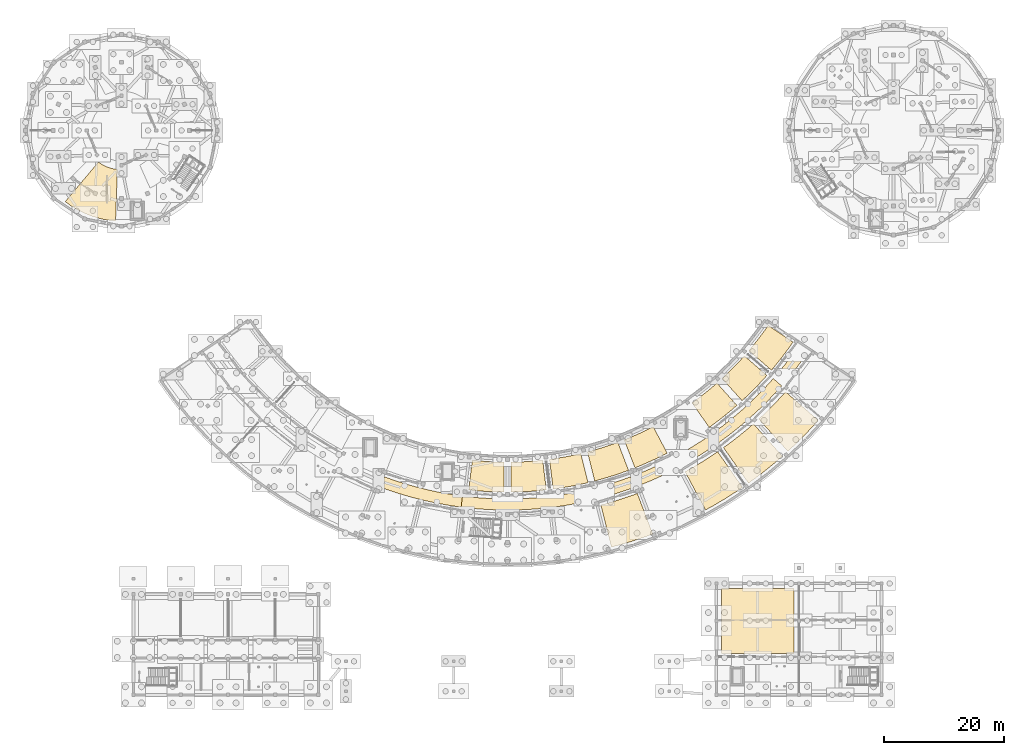
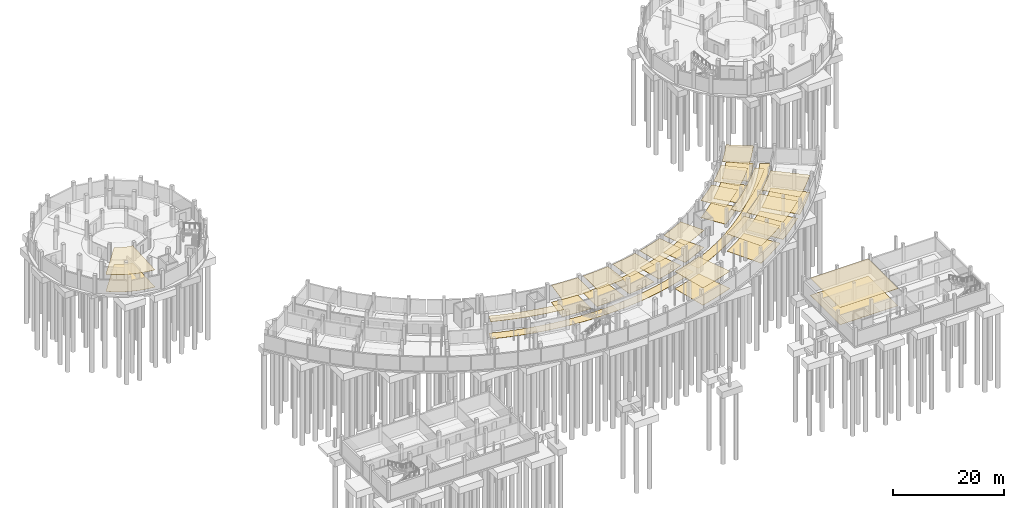
# One storey, part 51 of 58: 32 coverings.
"""IFC4 building model written with IfcOpenShell, lengths in metres."""

from ifc_helpers import new_model, si_unit, direction, frame, origin, place, context, subcontext, project, spatial, polyline, outline, extrude, material, layer, layer_set, type_object, element, save


model = new_model("IFC4")

# Units and contexts
model_context = context("Model", 3, precision=1e-05, world=origin(), true_north=direction((0.0, 1.0)))
body_context = subcontext(model_context, "Body", "Model", "MODEL_VIEW")
ifc_project = project(units=[si_unit("LENGTHUNIT", "METRE"), si_unit("AREAUNIT", "SQUARE_METRE"), si_unit("VOLUMEUNIT", "CUBIC_METRE"), si_unit("PLANEANGLEUNIT", "RADIAN"), si_unit("MASSUNIT", "GRAM", prefix="KILO")], contexts=[model_context])

# Site, building, storey
site_placement = place(None, origin())
site = spatial("IfcSite", under=ifc_project, at=site_placement, CompositionType="ELEMENT")
building_placement = place(site_placement, origin())
building = spatial("IfcBuilding", under=site, at=building_placement, Name="Caldaven Crescent School", CompositionType="ELEMENT")
storey_placement = place(building_placement, frame((0.0, 0.0, -4.080078125)))
storey = spatial("IfcBuildingStorey", under=building, at=storey_placement, Name="B1", CompositionType="ELEMENT", Elevation=-4.080078125)

# Coverings
ifc_material_1 = material(Name="Perforated Pino Radiata acoustic timber baffle ceiling", Category="wood")
ifc_layer_1 = layer(ifc_material_1, 0.030029296875)
ifc_layer_set_1 = layer_set([ifc_layer_1], Name="Perforated Pino Radiata acoustic timber baffle ceiling")
covering_type_1 = type_object("IfcCoveringType", Name="COV-CLG1", PredefinedType="CEILING", material=ifc_layer_set_1)
covering_1_placement = place(storey_placement, frame((0.0, 0.0, 3.7900390625)))
element("IfcCovering", 1, at=covering_1_placement, inside=storey, type_object=covering_type_1, Name="CLG-B1-076", PredefinedType="CEILING", context=body_context, shape_type="SweptSolid", body=[
    extrude(outline(polyline([(96.10546875, 43.6943359375), (96.118408203125, 43.6962890625), (97.63916015625, 43.955078125), (97.652099609375, 43.95751953125), (99.164794921875, 44.260986328125), (99.177490234375, 44.263916015625), (100.24853515625, 44.511474609375), (101.447021484375, 39.657470703125), (100.2265625, 39.375), (98.556884765625, 39.0400390625), (96.878173828125, 38.75439453125), (95.637451171875, 38.58056640625), (95.016845703125, 43.5419921875), (96.10546875, 43.6943359375)])), origin(), (0.0, 0.0, 1.0), 0.030029296875),
])
covering_2_placement = place(storey_placement, frame((0.0, 0.0, 3.7900390625)))
element("IfcCovering", 2, at=covering_2_placement, inside=storey, type_object=covering_type_1, Name="CLG-B1-080", PredefinedType="CEILING", context=body_context, shape_type="SweptSolid", body=[
    extrude(outline(polyline([(108.5185546875, 47.208984375), (108.53076171875, 47.214111328125), (109.943603515625, 47.8330078125), (109.955810546875, 47.83837890625), (111.349853515625, 48.498779296875), (111.36181640625, 48.504638671875), (112.341064453125, 49.004150390625), (114.677978515625, 44.584228515625), (113.56201171875, 44.014892578125), (112.023193359375, 43.285888671875), (110.46337890625, 42.6025390625), (109.3017578125, 42.1337890625), (107.4990234375, 46.797607421875), (108.5185546875, 47.208984375)])), origin(), (0.0, 0.0, 1.0), 0.030029296875),
])
covering_3_placement = place(storey_placement, frame((0.0, 0.0, 3.7900390625)))
element("IfcCovering", 3, at=covering_3_placement, inside=storey, type_object=covering_type_1, Name="CLG-B1-084", PredefinedType="CEILING", context=body_context, shape_type="SweptSolid", body=[
    extrude(outline(polyline([(124.640869140625, 57.802734375), (124.650390625, 57.81201171875), (125.747802734375, 58.896240234375), (125.757080078125, 58.905517578125), (126.822021484375, 60.021484375), (126.830810546875, 60.03125), (127.56591796875, 60.8486328125), (131.331787109375, 57.559814453125), (130.494140625, 56.62841796875), (129.318603515625, 55.396240234375), (128.107421875, 54.199462890625), (127.190673828125, 53.345458984375), (123.836669921875, 57.053466796875), (124.640869140625, 57.802734375)])), origin(), (0.0, 0.0, 1.0), 0.030029296875),
])
ifc_layer_2 = layer(ifc_material_1, 0.0380859375)
ifc_layer_set_2 = layer_set([ifc_layer_2], Name="Perforated Pino Radiata acoustic timber baffle ceiling")
covering_type_2 = type_object("IfcCoveringType", Name="COV-CLG2", PredefinedType="CEILING", material=ifc_layer_set_2)
covering_4_placement = place(storey_placement, frame((0.0, 0.0, 3.781982421875)))
element("IfcCovering", 4, at=covering_4_placement, inside=storey, type_object=covering_type_2, Name="CLG-B1-073", PredefinedType="CEILING", context=body_context, shape_type="SweptSolid", body=[
    extrude(outline(polyline([(83.210693359375, 43.287109375), (83.223876953125, 43.285888671875), (84.76220703125, 43.169189453125), (84.775390625, 43.16845703125), (86.316162109375, 43.096923828125), (86.329345703125, 43.096435546875), (87.4287109375, 43.07763671875), (87.4169921875, 38.077880859375), (86.16455078125, 38.09912109375), (84.46337890625, 38.177978515625), (82.765625, 38.306884765625), (81.519775390625, 38.438720703125), (82.11767578125, 43.402587890625), (83.210693359375, 43.287109375)])), origin(), (0.0, 0.0, 1.0), 0.0380859375),
])
covering_5_placement = place(storey_placement, frame((0.0, 0.0, 3.781982421875)))
element("IfcCovering", 5, at=covering_5_placement, inside=storey, type_object=covering_type_2, Name="CLG-B1-077", PredefinedType="CEILING", context=body_context, shape_type="SweptSolid", body=[
    extrude(outline(polyline([(102.41943359375, 45.072021484375), (102.43212890625, 45.07568359375), (103.909912109375, 45.517822265625), (103.922607421875, 45.521728515625), (105.386962890625, 46.00732421875), (105.3994140625, 46.01171875), (106.43212890625, 46.38818359375), (108.21337890625, 41.716064453125), (107.0361328125, 41.287109375), (105.419921875, 40.751220703125), (103.78857421875, 40.26318359375), (102.578369140625, 39.939453125), (101.357666015625, 44.7880859375), (102.41943359375, 45.072021484375)])), origin(), (0.0, 0.0, 1.0), 0.0380859375),
])
covering_6_placement = place(storey_placement, frame((0.0, 0.0, 3.781982421875)))
element("IfcCovering", 6, at=covering_6_placement, inside=storey, type_object=covering_type_2, Name="CLG-B1-081", PredefinedType="CEILING", context=body_context, shape_type="SweptSolid", body=[
    extrude(outline(polyline([(118.856201171875, 42.14306640625), (118.86767578125, 42.149658203125), (120.42578125, 43.0732421875), (120.43701171875, 43.080078125), (121.96728515625, 44.049072265625), (121.978515625, 44.056396484375), (123.112060546875, 44.82177734375), (127.2626953125, 38.865234375), (125.946533203125, 37.976806640625), (124.224853515625, 36.886474609375), (122.4716796875, 35.847412109375), (121.08251953125, 35.078125), (117.659423828125, 41.48046875), (118.856201171875, 42.14306640625)])), origin(), (0.0, 0.0, 1.0), 0.0380859375),
])
covering_7_placement = place(storey_placement, frame((0.0, 0.0, 3.781982421875)))
element("IfcCovering", 7, at=covering_7_placement, inside=storey, type_object=covering_type_2, Name="CLG-B1-085", PredefinedType="CEILING", context=body_context, shape_type="SweptSolid", body=[
    extrude(outline(polyline([(130.96875, 51.20751953125), (130.978515625, 51.216796875), (132.266845703125, 52.489990234375), (132.276123046875, 52.499267578125), (133.526611328125, 53.809814453125), (133.535400390625, 53.8193359375), (134.4501953125, 54.83642578125), (139.91845703125, 50.060791015625), (138.8564453125, 48.88037109375), (137.44970703125, 47.406005859375), (136.0, 45.973388671875), (134.838134765625, 44.89111328125), (129.968017578125, 50.275146484375), (130.96875, 51.20751953125)])), origin(), (0.0, 0.0, 1.0), 0.0380859375),
])
ifc_layer_3 = layer(ifc_material_1, 0.0458984375)
ifc_layer_set_3 = layer_set([ifc_layer_3], Name="Perforated Pino Radiata acoustic timber baffle ceiling")
covering_type_3 = type_object("IfcCoveringType", Name="COV-CLG3", PredefinedType="CEILING", material=ifc_layer_set_3)
covering_8_placement = place(storey_placement, frame((0.0, 0.0, 3.774169921875)))
element("IfcCovering", 8, at=covering_8_placement, inside=storey, type_object=covering_type_3, Name="CLG-B1-018", PredefinedType="CEILING", context=body_context, shape_type="SweptSolid", body=[
    extrude(outline(polyline([(19.656494140625, 93.1962890625), (19.830810546875, 93.07421875), (19.84375, 93.0654296875), (20.0224609375, 92.949462890625), (20.03564453125, 92.941162109375), (20.21826171875, 92.83154296875), (20.23193359375, 92.823486328125), (20.418212890625, 92.720458984375), (20.431884765625, 92.712890625), (20.62158203125, 92.616455078125), (20.6357421875, 92.609619140625), (20.82861328125, 92.51953125), (20.843017578125, 92.51318359375), (21.0390625, 92.429931640625), (21.0537109375, 92.424072265625), (21.25244140625, 92.347900390625), (21.26708984375, 92.34228515625), (21.468505859375, 92.273193359375), (21.4833984375, 92.268310546875), (21.68701171875, 92.2060546875), (21.7021484375, 92.20166015625), (21.907958984375, 92.146484375), (21.923095703125, 92.142578125), (22.13037109375, 92.0947265625), (22.14599609375, 92.091552734375), (22.35498046875, 92.051025390625), (22.370361328125, 92.048095703125), (22.58056640625, 92.014892578125), (22.59619140625, 92.0126953125), (22.8076171875, 91.98681640625), (22.822265625, 91.985107421875), (22.52197265625, 83.3828125), (22.443115234375, 83.386962890625), (21.91650390625, 83.43310546875), (21.3916015625, 83.49755859375), (20.869384765625, 83.580078125), (20.35009765625, 83.68115234375), (19.8349609375, 83.800048828125), (19.32421875, 83.93701171875), (18.818359375, 84.091552734375), (18.318359375, 84.263671875), (17.82470703125, 84.453125), (17.337890625, 84.659912109375), (16.858642578125, 84.88330078125), (16.387451171875, 85.123291015625), (15.925048828125, 85.3798828125), (15.4716796875, 85.652099609375), (15.0283203125, 85.940185546875), (14.59521484375, 86.243408203125), (14.1728515625, 86.561767578125), (14.111572265625, 86.611083984375), (19.64453125, 93.205078125), (19.656494140625, 93.1962890625)])), origin(), (0.0, 0.0, 1.0), 0.0458984375),
])
covering_9_placement = place(storey_placement, frame((0.0, 0.0, 3.774169921875)))
element("IfcCovering", 9, at=covering_9_placement, inside=storey, type_object=covering_type_3, Name="CLG-B1-070", PredefinedType="CEILING", context=body_context, shape_type="SweptSolid", body=[
    extrude(outline(polyline([(68.972900390625, 40.078369140625), (68.987548828125, 40.073486328125), (70.91357421875, 39.455078125), (70.928466796875, 39.45068359375), (72.87451171875, 38.8994140625), (72.889404296875, 38.8955078125), (74.853515625, 38.41162109375), (74.86865234375, 38.408203125), (76.848388671875, 37.9921875), (76.863525390625, 37.989501953125), (78.856201171875, 37.64208984375), (78.87158203125, 37.6396484375), (80.481689453125, 37.416015625), (80.252685546875, 35.5703125), (78.576416015625, 35.80322265625), (76.5048828125, 36.164306640625), (74.447509765625, 36.596435546875), (72.406005859375, 37.099365234375), (70.383056640625, 37.67236328125), (68.381103515625, 38.31494140625), (66.826171875, 38.8740234375), (67.4853515625, 40.613037109375), (68.972900390625, 40.078369140625)])), origin(), (0.0, 0.0, 1.0), 0.0458984375),
])
covering_10_placement = place(storey_placement, frame((0.0, 0.0, 3.774169921875)))
element("IfcCovering", 10, at=covering_10_placement, inside=storey, type_object=covering_type_3, Name="CLG-B1-074", PredefinedType="CEILING", context=body_context, shape_type="SweptSolid", body=[
    extrude(outline(polyline([(89.670654296875, 43.096435546875), (89.683837890625, 43.096923828125), (91.224609375, 43.16845703125), (91.23779296875, 43.169189453125), (92.776123046875, 43.285888671875), (92.789306640625, 43.287109375), (93.88232421875, 43.402587890625), (94.480224609375, 38.438720703125), (93.234375, 38.306884765625), (91.53662109375, 38.177978515625), (89.83544921875, 38.09912109375), (88.5830078125, 38.077880859375), (88.5712890625, 43.07763671875), (89.670654296875, 43.096435546875)])), origin(), (0.0, 0.0, 1.0), 0.0458984375),
])
covering_11_placement = place(storey_placement, frame((0.0, 0.0, 3.774169921875)))
element("IfcCovering", 11, at=covering_11_placement, inside=storey, type_object=covering_type_3, Name="CLG-B1-078", PredefinedType="CEILING", context=body_context, shape_type="SweptSolid", body=[
    extrude(outline(polyline([(104.910400390625, 36.278076171875), (104.923095703125, 36.281494140625), (106.658447265625, 36.80078125), (106.671142578125, 36.804931640625), (108.390380859375, 37.375), (108.40283203125, 37.379150390625), (109.68798828125, 37.84765625), (112.274169921875, 31.06396484375), (110.7822265625, 30.520263671875), (108.847900390625, 29.87890625), (106.8955078125, 29.294677734375), (105.361572265625, 28.884521484375), (103.589111328125, 35.924560546875), (104.910400390625, 36.278076171875)])), origin(), (0.0, 0.0, 1.0), 0.0458984375),
])
covering_12_placement = place(storey_placement, frame((0.0, 0.0, 3.774169921875)))
element("IfcCovering", 12, at=covering_12_placement, inside=storey, type_object=covering_type_3, Name="CLG-B1-082", PredefinedType="CEILING", context=body_context, shape_type="SweptSolid", body=[
    extrude(outline(polyline([(119.712646484375, 53.6220703125), (119.72314453125, 53.6298828125), (120.944580078125, 54.572509765625), (120.954833984375, 54.580810546875), (122.14794921875, 55.55859375), (122.157958984375, 55.567138671875), (122.9873046875, 56.288818359375), (126.32421875, 52.5654296875), (125.379150390625, 51.742919921875), (124.062255859375, 50.66357421875), (122.714111328125, 49.623291015625), (121.7001953125, 48.88720703125), (118.822998046875, 52.976318359375), (119.712646484375, 53.6220703125)])), origin(), (0.0, 0.0, 1.0), 0.0458984375),
])
covering_13_placement = place(storey_placement, frame((0.0, 0.0, 3.774169921875)))
element("IfcCovering", 13, at=covering_13_placement, inside=storey, type_object=covering_type_3, Name="CLG-B1-086", PredefinedType="CEILING", context=body_context, shape_type="SweptSolid", body=[
    extrude(outline(polyline([(129.022705078125, 62.552978515625), (129.031005859375, 62.56298828125), (129.988037109375, 63.77294921875), (129.99609375, 63.783447265625), (130.917236328125, 65.02099609375), (130.9248046875, 65.03173828125), (131.554931640625, 65.9326171875), (135.693603515625, 63.127197265625), (134.9755859375, 62.1005859375), (133.958984375, 60.734619140625), (132.902587890625, 59.39892578125), (132.0966796875, 58.439697265625), (128.31591796875, 61.711181640625), (129.022705078125, 62.552978515625)])), origin(), (0.0, 0.0, 1.0), 0.0458984375),
])
ifc_layer_4 = layer(ifc_material_1, 0.053955078125)
ifc_layer_set_4 = layer_set([ifc_layer_4], Name="Perforated Pino Radiata acoustic timber baffle ceiling")
covering_type_4 = type_object("IfcCoveringType", Name="COV-CLG4", PredefinedType="CEILING", material=ifc_layer_set_4)
covering_14_placement = place(storey_placement, frame((0.0, 0.0, 3.76611328125)))
element("IfcCovering", 14, at=covering_14_placement, inside=storey, type_object=covering_type_4, Name="CLG-B1-027", PredefinedType="CEILING", context=body_context, shape_type="SweptSolid", body=[
    extrude(outline(polyline([(135.85009765625, 21.949951171875), (135.85009765625, 11.14990234375), (123.75, 11.14990234375), (123.75, 21.949951171875), (135.85009765625, 21.949951171875)])), origin(), (0.0, 0.0, 1.0), 0.053955078125),
])
covering_15_placement = place(storey_placement, frame((0.0, 0.0, 3.76611328125)))
element("IfcCovering", 15, at=covering_15_placement, inside=storey, type_object=covering_type_4, Name="CLG-B1-079", PredefinedType="CEILING", context=body_context, shape_type="SweptSolid", body=[
    extrude(outline(polyline([(122.281494140625, 47.8955078125), (122.29443359375, 47.90478515625), (123.9677734375, 49.14306640625), (123.98046875, 49.152587890625), (125.60888671875, 50.44970703125), (125.62109375, 50.459716796875), (127.202392578125, 51.813720703125), (127.21435546875, 51.82421875), (128.74658203125, 53.2333984375), (128.758056640625, 53.244384765625), (130.239501953125, 54.707275390625), (130.25048828125, 54.718505859375), (131.678955078125, 56.23291015625), (131.689697265625, 56.244873046875), (132.396484375, 57.0498046875), (133.799560546875, 55.829345703125), (133.059814453125, 54.987060546875), (131.5751953125, 53.412841796875), (130.03564453125, 51.892578125), (128.443115234375, 50.427734375), (126.79931640625, 49.0205078125), (125.106689453125, 47.672607421875), (123.36767578125, 46.385498046875), (123.2119140625, 46.27880859375), (122.143310546875, 47.80078125), (122.281494140625, 47.8955078125)])), origin(), (0.0, 0.0, 1.0), 0.053955078125),
])
covering_16_placement = place(storey_placement, frame((0.0, 0.0, 3.76611328125)))
element("IfcCovering", 16, at=covering_16_placement, inside=storey, type_object=covering_type_4, Name="CLG-B1-083", PredefinedType="CEILING", context=body_context, shape_type="SweptSolid", body=[
    extrude(outline(polyline([(125.189697265625, 46.304931640625), (125.2001953125, 46.312744140625), (126.63427734375, 47.41943359375), (126.644775390625, 47.427734375), (128.04541015625, 48.575927734375), (128.0556640625, 48.58447265625), (129.08740234375, 49.482421875), (133.932861328125, 44.075927734375), (132.735107421875, 43.03369140625), (131.158935546875, 41.74169921875), (129.54541015625, 40.496826171875), (128.260498046875, 39.56396484375), (124.082763671875, 45.50146484375), (125.189697265625, 46.304931640625)])), origin(), (0.0, 0.0, 1.0), 0.053955078125),
])
ifc_material_2 = material(Name="Polished terrazzo and acoustic linoleum flooring")
ifc_layer_5 = layer(ifc_material_2, 0.02001953125)
ifc_layer_set_5 = layer_set([ifc_layer_5], Name="Polished terrazzo and acoustic linoleum flooring")
covering_type_5 = type_object("IfcCoveringType", Name="COV-FLR1", PredefinedType="FLOORING", material=ifc_layer_set_5)
covering_17_placement = place(storey_placement, origin())
element("IfcCovering", 17, at=covering_17_placement, inside=storey, type_object=covering_type_5, Name="FLR-B1-018", PredefinedType="FLOORING", context=body_context, shape_type="SweptSolid", body=[
    extrude(outline(polyline([(19.64453125, 93.205078125), (19.656494140625, 93.1962890625), (19.830810546875, 93.07421875), (19.84375, 93.0654296875), (20.0224609375, 92.949462890625), (20.03564453125, 92.941162109375), (20.21826171875, 92.83154296875), (20.23193359375, 92.823486328125), (20.418212890625, 92.720458984375), (20.431884765625, 92.712890625), (20.62158203125, 92.616455078125), (20.6357421875, 92.609619140625), (20.82861328125, 92.51953125), (20.843017578125, 92.51318359375), (21.0390625, 92.429931640625), (21.0537109375, 92.424072265625), (21.25244140625, 92.347900390625), (21.26708984375, 92.34228515625), (21.468505859375, 92.273193359375), (21.4833984375, 92.268310546875), (21.68701171875, 92.2060546875), (21.7021484375, 92.20166015625), (21.907958984375, 92.146484375), (21.923095703125, 92.142578125), (22.13037109375, 92.0947265625), (22.14599609375, 92.091552734375), (22.35498046875, 92.051025390625), (22.370361328125, 92.048095703125), (22.58056640625, 92.014892578125), (22.59619140625, 92.0126953125), (22.8076171875, 91.98681640625), (22.822265625, 91.985107421875), (22.52197265625, 83.3828125), (22.443115234375, 83.386962890625), (21.91650390625, 83.43310546875), (21.3916015625, 83.49755859375), (20.869384765625, 83.580078125), (20.35009765625, 83.68115234375), (19.8349609375, 83.800048828125), (19.32421875, 83.93701171875), (18.818359375, 84.091552734375), (18.318359375, 84.263671875), (17.82470703125, 84.453125), (17.337890625, 84.659912109375), (16.858642578125, 84.88330078125), (16.387451171875, 85.123291015625), (15.925048828125, 85.3798828125), (15.4716796875, 85.652099609375), (15.0283203125, 85.940185546875), (14.59521484375, 86.243408203125), (14.1728515625, 86.561767578125), (14.111572265625, 86.611083984375), (19.64453125, 93.205078125)])), origin(), (0.0, 0.0, 1.0), 0.02001953125),
])
covering_18_placement = place(storey_placement, origin())
element("IfcCovering", 18, at=covering_18_placement, inside=storey, type_object=covering_type_5, Name="FLR-B1-027", PredefinedType="FLOORING", context=body_context, shape_type="SweptSolid", body=[
    extrude(outline(polyline([(123.75, 21.949951171875), (135.85009765625, 21.949951171875), (135.85009765625, 11.14990234375), (123.75, 11.14990234375), (123.75, 21.949951171875)])), origin(), (0.0, 0.0, 1.0), 0.02001953125),
])
covering_19_placement = place(storey_placement, origin())
element("IfcCovering", 19, at=covering_19_placement, inside=storey, type_object=covering_type_5, Name="FLR-B1-078", PredefinedType="FLOORING", context=body_context, shape_type="SweptSolid", body=[
    extrude(outline(polyline([(103.589111328125, 35.924560546875), (104.910400390625, 36.278076171875), (104.923095703125, 36.281494140625), (106.658447265625, 36.80078125), (106.671142578125, 36.804931640625), (108.390380859375, 37.375), (108.40283203125, 37.379150390625), (109.68798828125, 37.84765625), (112.274169921875, 31.06396484375), (110.7822265625, 30.520263671875), (108.847900390625, 29.87890625), (106.8955078125, 29.294677734375), (105.361572265625, 28.884521484375), (103.589111328125, 35.924560546875)])), origin(), (0.0, 0.0, 1.0), 0.02001953125),
])
covering_20_placement = place(storey_placement, origin())
element("IfcCovering", 20, at=covering_20_placement, inside=storey, type_object=covering_type_5, Name="FLR-B1-081", PredefinedType="FLOORING", context=body_context, shape_type="SweptSolid", body=[
    extrude(outline(polyline([(117.659423828125, 41.48046875), (118.856201171875, 42.14306640625), (118.86767578125, 42.149658203125), (120.42578125, 43.0732421875), (120.43701171875, 43.080078125), (121.96728515625, 44.049072265625), (121.978515625, 44.056396484375), (123.112060546875, 44.82177734375), (127.2626953125, 38.865234375), (125.946533203125, 37.976806640625), (124.224853515625, 36.886474609375), (122.4716796875, 35.847412109375), (121.08251953125, 35.078125), (117.659423828125, 41.48046875)])), origin(), (0.0, 0.0, 1.0), 0.02001953125),
])
covering_21_placement = place(storey_placement, origin())
element("IfcCovering", 21, at=covering_21_placement, inside=storey, type_object=covering_type_5, Name="FLR-B1-084", PredefinedType="FLOORING", context=body_context, shape_type="SweptSolid", body=[
    extrude(outline(polyline([(123.836669921875, 57.053466796875), (124.640869140625, 57.802734375), (124.650390625, 57.81201171875), (125.747802734375, 58.896240234375), (125.757080078125, 58.905517578125), (126.822021484375, 60.021484375), (126.830810546875, 60.03125), (127.56591796875, 60.8486328125), (131.331787109375, 57.559814453125), (130.494140625, 56.62841796875), (129.318603515625, 55.396240234375), (128.107421875, 54.199462890625), (127.190673828125, 53.345458984375), (123.836669921875, 57.053466796875)])), origin(), (0.0, 0.0, 1.0), 0.02001953125),
])
ifc_layer_6 = layer(ifc_material_2, 0.02587890625)
ifc_layer_set_6 = layer_set([ifc_layer_6], Name="Polished terrazzo and acoustic linoleum flooring")
covering_type_6 = type_object("IfcCoveringType", Name="COV-FLR2", PredefinedType="FLOORING", material=ifc_layer_set_6)
covering_22_placement = place(storey_placement, origin())
element("IfcCovering", 22, at=covering_22_placement, inside=storey, type_object=covering_type_6, Name="FLR-B1-070", PredefinedType="FLOORING", context=body_context, shape_type="SweptSolid", body=[
    extrude(outline(polyline([(67.4853515625, 40.613037109375), (68.972900390625, 40.078369140625), (68.987548828125, 40.073486328125), (70.91357421875, 39.455078125), (70.928466796875, 39.45068359375), (72.87451171875, 38.8994140625), (72.889404296875, 38.8955078125), (74.853515625, 38.41162109375), (74.86865234375, 38.408203125), (76.848388671875, 37.9921875), (76.863525390625, 37.989501953125), (78.856201171875, 37.64208984375), (78.87158203125, 37.6396484375), (80.875244140625, 37.361328125), (80.890625, 37.359375), (82.902587890625, 37.150390625), (82.918212890625, 37.149169921875), (84.93603515625, 37.009521484375), (84.951416015625, 37.0087890625), (86.97314453125, 36.93896484375), (86.988525390625, 36.938720703125), (89.011474609375, 36.938720703125), (89.02685546875, 36.93896484375), (91.048583984375, 37.0087890625), (91.06396484375, 37.009521484375), (93.081787109375, 37.149169921875), (93.097412109375, 37.150390625), (95.109375, 37.359375), (95.124755859375, 37.361328125), (97.12841796875, 37.6396484375), (97.143798828125, 37.64208984375), (99.136474609375, 37.989501953125), (99.151611328125, 37.9921875), (101.13134765625, 38.408203125), (101.146484375, 38.41162109375), (103.110595703125, 38.8955078125), (103.12548828125, 38.8994140625), (105.071533203125, 39.45068359375), (105.08642578125, 39.455078125), (107.012451171875, 40.073486328125), (107.027099609375, 40.078369140625), (108.5146484375, 40.613037109375), (109.173828125, 38.8740234375), (107.618896484375, 38.31494140625), (105.616943359375, 37.67236328125), (103.593994140625, 37.099365234375), (101.552490234375, 36.596435546875), (99.4951171875, 36.164306640625), (97.423583984375, 35.80322265625), (95.34130859375, 35.513916015625), (93.25, 35.296630859375), (91.152587890625, 35.151611328125), (89.05126953125, 35.0791015625), (86.94873046875, 35.0791015625), (84.847412109375, 35.151611328125), (82.75, 35.296630859375), (80.65869140625, 35.513916015625), (78.576416015625, 35.80322265625), (76.5048828125, 36.164306640625), (74.447509765625, 36.596435546875), (72.406005859375, 37.099365234375), (70.383056640625, 37.67236328125), (68.381103515625, 38.31494140625), (66.826171875, 38.8740234375), (67.4853515625, 40.613037109375)])), origin(), (0.0, 0.0, 1.0), 0.026123046875),
])
covering_23_placement = place(storey_placement, origin())
element("IfcCovering", 23, at=covering_23_placement, inside=storey, type_object=covering_type_6, Name="FLR-B1-073", PredefinedType="FLOORING", context=body_context, shape_type="SweptSolid", body=[
    extrude(outline(polyline([(82.11767578125, 43.402587890625), (83.210693359375, 43.287109375), (83.223876953125, 43.285888671875), (84.76220703125, 43.169189453125), (84.775390625, 43.16845703125), (86.316162109375, 43.096923828125), (86.329345703125, 43.096435546875), (87.4287109375, 43.07763671875), (87.4169921875, 38.077880859375), (86.16455078125, 38.09912109375), (84.46337890625, 38.177978515625), (82.765625, 38.306884765625), (81.519775390625, 38.438720703125), (82.11767578125, 43.402587890625)])), origin(), (0.0, 0.0, 1.0), 0.026123046875),
])
covering_24_placement = place(storey_placement, origin())
element("IfcCovering", 24, at=covering_24_placement, inside=storey, type_object=covering_type_6, Name="FLR-B1-076", PredefinedType="FLOORING", context=body_context, shape_type="SweptSolid", body=[
    extrude(outline(polyline([(95.016845703125, 43.5419921875), (96.10546875, 43.6943359375), (96.118408203125, 43.6962890625), (97.63916015625, 43.955078125), (97.652099609375, 43.95751953125), (99.164794921875, 44.260986328125), (99.177490234375, 44.263916015625), (100.24853515625, 44.511474609375), (101.447021484375, 39.657470703125), (100.2265625, 39.375), (98.556884765625, 39.0400390625), (96.878173828125, 38.75439453125), (95.637451171875, 38.58056640625), (95.016845703125, 43.5419921875)])), origin(), (0.0, 0.0, 1.0), 0.026123046875),
])
covering_25_placement = place(storey_placement, origin())
element("IfcCovering", 25, at=covering_25_placement, inside=storey, type_object=covering_type_6, Name="FLR-B1-079", PredefinedType="FLOORING", context=body_context, shape_type="SweptSolid", body=[
    extrude(outline(polyline([(109.815673828125, 41.11279296875), (111.3330078125, 41.73388671875), (111.347900390625, 41.739990234375), (113.2451171875, 42.596435546875), (113.259765625, 42.603515625), (115.12548828125, 43.526611328125), (115.1396484375, 43.533935546875), (116.971435546875, 44.522705078125), (116.985595703125, 44.530517578125), (118.781005859375, 45.583984375), (118.794677734375, 45.59228515625), (120.5517578125, 46.70849609375), (120.565185546875, 46.71728515625), (122.281494140625, 47.8955078125), (122.29443359375, 47.90478515625), (123.9677734375, 49.14306640625), (123.98046875, 49.152587890625), (125.60888671875, 50.44970703125), (125.62109375, 50.459716796875), (127.202392578125, 51.813720703125), (127.21435546875, 51.82421875), (128.74658203125, 53.2333984375), (128.758056640625, 53.244384765625), (130.239501953125, 54.707275390625), (130.25048828125, 54.718505859375), (131.678955078125, 56.23291015625), (131.689697265625, 56.244873046875), (133.063232421875, 57.808837890625), (133.073486328125, 57.821044921875), (134.390869140625, 59.43310546875), (134.40087890625, 59.445556640625), (135.659912109375, 61.103271484375), (135.66943359375, 61.1162109375), (136.6142578125, 62.456298828125), (138.153076171875, 61.41162109375), (137.16552734375, 60.010986328125), (135.856689453125, 58.2880859375), (134.487548828125, 56.61279296875), (133.059814453125, 54.987060546875), (131.5751953125, 53.412841796875), (130.03564453125, 51.892578125), (128.443115234375, 50.427734375), (126.79931640625, 49.0205078125), (125.106689453125, 47.672607421875), (123.36767578125, 46.385498046875), (121.58349609375, 45.160888671875), (119.75732421875, 44.000732421875), (117.89111328125, 42.906005859375), (115.987060546875, 41.878173828125), (114.047607421875, 40.91845703125), (112.075439453125, 40.0283203125), (110.489501953125, 39.37939453125), (109.815673828125, 41.11279296875)])), origin(), (0.0, 0.0, 1.0), 0.026123046875),
])
covering_26_placement = place(storey_placement, origin())
element("IfcCovering", 26, at=covering_26_placement, inside=storey, type_object=covering_type_6, Name="FLR-B1-082", PredefinedType="FLOORING", context=body_context, shape_type="SweptSolid", body=[
    extrude(outline(polyline([(118.822998046875, 52.976318359375), (119.712646484375, 53.6220703125), (119.72314453125, 53.6298828125), (120.944580078125, 54.572509765625), (120.954833984375, 54.580810546875), (122.14794921875, 55.55859375), (122.157958984375, 55.567138671875), (122.9873046875, 56.288818359375), (126.32421875, 52.5654296875), (125.379150390625, 51.742919921875), (124.062255859375, 50.66357421875), (122.714111328125, 49.623291015625), (121.7001953125, 48.88720703125), (118.822998046875, 52.976318359375)])), origin(), (0.0, 0.0, 1.0), 0.026123046875),
])
covering_27_placement = place(storey_placement, origin())
element("IfcCovering", 27, at=covering_27_placement, inside=storey, type_object=covering_type_6, Name="FLR-B1-085", PredefinedType="FLOORING", context=body_context, shape_type="SweptSolid", body=[
    extrude(outline(polyline([(129.968017578125, 50.275146484375), (130.96875, 51.20751953125), (130.978515625, 51.216796875), (132.266845703125, 52.489990234375), (132.276123046875, 52.499267578125), (133.526611328125, 53.809814453125), (133.535400390625, 53.8193359375), (134.4501953125, 54.83642578125), (139.91845703125, 50.060791015625), (138.8564453125, 48.88037109375), (137.44970703125, 47.406005859375), (136.0, 45.973388671875), (134.838134765625, 44.89111328125), (129.968017578125, 50.275146484375)])), origin(), (0.0, 0.0, 1.0), 0.026123046875),
])
ifc_layer_7 = layer(ifc_material_2, 0.031982421875)
ifc_layer_set_7 = layer_set([ifc_layer_7], Name="Polished terrazzo and acoustic linoleum flooring")
covering_type_7 = type_object("IfcCoveringType", Name="COV-FLR3", PredefinedType="FLOORING", material=ifc_layer_set_7)
covering_28_placement = place(storey_placement, origin())
element("IfcCovering", 28, at=covering_28_placement, inside=storey, type_object=covering_type_7, Name="FLR-B1-074", PredefinedType="FLOORING", context=body_context, shape_type="SweptSolid", body=[
    extrude(outline(polyline([(88.5712890625, 43.07763671875), (89.670654296875, 43.096435546875), (89.683837890625, 43.096923828125), (91.224609375, 43.16845703125), (91.23779296875, 43.169189453125), (92.776123046875, 43.285888671875), (92.789306640625, 43.287109375), (93.88232421875, 43.402587890625), (94.480224609375, 38.438720703125), (93.234375, 38.306884765625), (91.53662109375, 38.177978515625), (89.83544921875, 38.09912109375), (88.5830078125, 38.077880859375), (88.5712890625, 43.07763671875)])), origin(), (0.0, 0.0, 1.0), 0.031982421875),
])
covering_29_placement = place(storey_placement, origin())
element("IfcCovering", 29, at=covering_29_placement, inside=storey, type_object=covering_type_7, Name="FLR-B1-077", PredefinedType="FLOORING", context=body_context, shape_type="SweptSolid", body=[
    extrude(outline(polyline([(101.357666015625, 44.7880859375), (102.41943359375, 45.072021484375), (102.43212890625, 45.07568359375), (103.909912109375, 45.517822265625), (103.922607421875, 45.521728515625), (105.386962890625, 46.00732421875), (105.3994140625, 46.01171875), (106.43212890625, 46.38818359375), (108.21337890625, 41.716064453125), (107.0361328125, 41.287109375), (105.419921875, 40.751220703125), (103.78857421875, 40.26318359375), (102.578369140625, 39.939453125), (101.357666015625, 44.7880859375)])), origin(), (0.0, 0.0, 1.0), 0.031982421875),
])
covering_30_placement = place(storey_placement, origin())
element("IfcCovering", 30, at=covering_30_placement, inside=storey, type_object=covering_type_7, Name="FLR-B1-080", PredefinedType="FLOORING", context=body_context, shape_type="SweptSolid", body=[
    extrude(outline(polyline([(107.4990234375, 46.797607421875), (108.5185546875, 47.208984375), (108.53076171875, 47.214111328125), (109.943603515625, 47.8330078125), (109.955810546875, 47.83837890625), (111.349853515625, 48.498779296875), (111.36181640625, 48.504638671875), (112.341064453125, 49.004150390625), (114.677978515625, 44.584228515625), (113.56201171875, 44.014892578125), (112.023193359375, 43.285888671875), (110.46337890625, 42.6025390625), (109.3017578125, 42.1337890625), (107.4990234375, 46.797607421875)])), origin(), (0.0, 0.0, 1.0), 0.031982421875),
])
covering_31_placement = place(storey_placement, origin())
element("IfcCovering", 31, at=covering_31_placement, inside=storey, type_object=covering_type_7, Name="FLR-B1-083", PredefinedType="FLOORING", context=body_context, shape_type="SweptSolid", body=[
    extrude(outline(polyline([(124.082763671875, 45.50146484375), (125.189697265625, 46.304931640625), (125.2001953125, 46.312744140625), (126.63427734375, 47.41943359375), (126.644775390625, 47.427734375), (128.04541015625, 48.575927734375), (128.0556640625, 48.58447265625), (129.08740234375, 49.482421875), (133.932861328125, 44.075927734375), (132.735107421875, 43.03369140625), (131.158935546875, 41.74169921875), (129.54541015625, 40.496826171875), (128.260498046875, 39.56396484375), (124.082763671875, 45.50146484375)])), origin(), (0.0, 0.0, 1.0), 0.031982421875),
])
covering_32_placement = place(storey_placement, origin())
element("IfcCovering", 32, at=covering_32_placement, inside=storey, type_object=covering_type_7, Name="FLR-B1-086", PredefinedType="FLOORING", context=body_context, shape_type="SweptSolid", body=[
    extrude(outline(polyline([(128.31591796875, 61.711181640625), (129.022705078125, 62.552978515625), (129.031005859375, 62.56298828125), (129.988037109375, 63.77294921875), (129.99609375, 63.783447265625), (130.917236328125, 65.02099609375), (130.9248046875, 65.03173828125), (131.554931640625, 65.9326171875), (135.693603515625, 63.127197265625), (134.9755859375, 62.1005859375), (133.958984375, 60.734619140625), (132.902587890625, 59.39892578125), (132.0966796875, 58.439697265625), (128.31591796875, 61.711181640625)])), origin(), (0.0, 0.0, 1.0), 0.031982421875),
])

save(model, "model.ifc")
